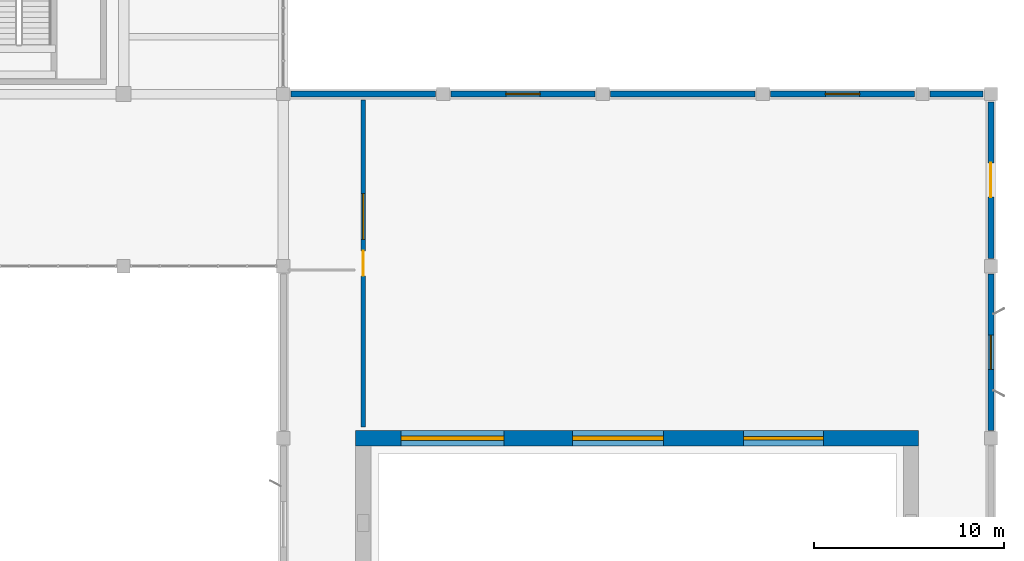
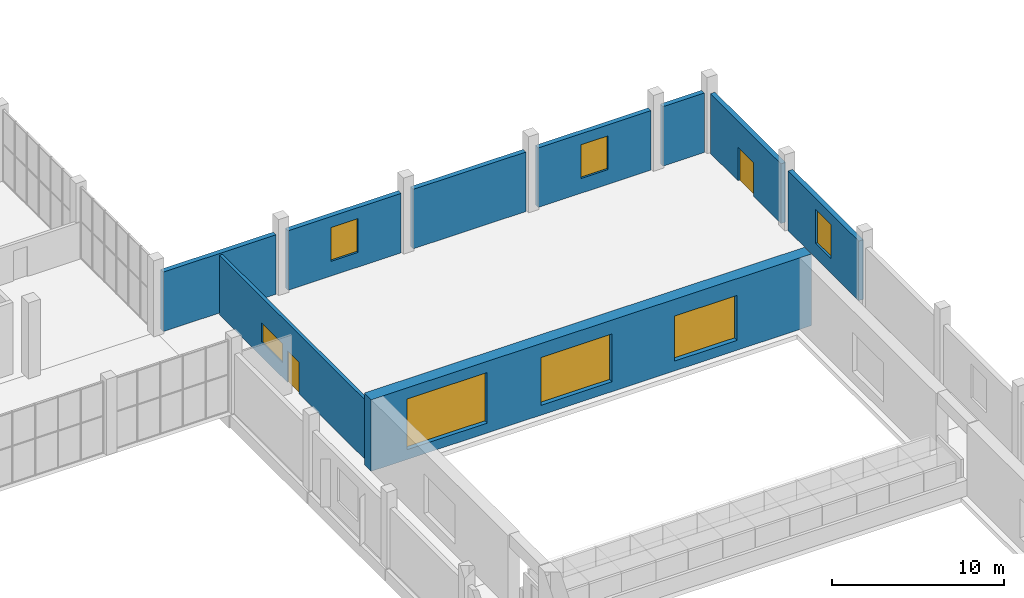
# One storey, part 84 of 91: 9 walls, 7 windows, 2 doors, 9 openings.
"""IFC4 building model written with IfcOpenShell, lengths in metres."""

from ifc_helpers import new_model, si_unit, direction, frame, frame_2d, origin, place, context, subcontext, project, spatial, rectangle, extrude, material, layer, layer_set, type_object, element, fill, save


model = new_model("IFC4")

# Units and contexts
model_context = context("Model", 3, precision=1e-05, world=origin(), true_north=direction((0.0, 1.0)))
body_context = subcontext(model_context, "Body", "Model", "MODEL_VIEW")
ifc_project = project(units=[si_unit("LENGTHUNIT", "METRE"), si_unit("AREAUNIT", "SQUARE_METRE"), si_unit("VOLUMEUNIT", "CUBIC_METRE"), si_unit("PLANEANGLEUNIT", "RADIAN"), si_unit("MASSUNIT", "GRAM", prefix="KILO")], contexts=[model_context])

# Site, building, storey
site_placement = place(None, origin())
site = spatial("IfcSite", under=ifc_project, at=site_placement, CompositionType="ELEMENT")
building_placement = place(site_placement, origin())
building = spatial("IfcBuilding", under=site, at=building_placement, Name="Khurvash Pelagic Aquarium", CompositionType="ELEMENT")
storey_placement = place(building_placement, origin())
storey = spatial("IfcBuildingStorey", under=building, at=storey_placement, Name="L00", CompositionType="ELEMENT", Elevation=0.0)

# Wall, opening, window
ifc_material_1 = material(Name="Precast concrete C40/50", Category="concrete")
ifc_layer_1 = layer(ifc_material_1, 0.320068359375)
ifc_layer_set_1 = layer_set([ifc_layer_1], Name="Precast concrete C40/50")
wall_type_1 = type_object("IfcWallType", Name="EW-320", PredefinedType="STANDARD", material=ifc_layer_set_1)
wall_1_placement = place(storey_placement, frame((163.199951171875, 66.360107421875, 0.0), z_axis=(0.0, 0.0, 1.0), x_axis=(0.0, 1.0, 0.0)))
wall_1 = element("IfcWall", 1, at=wall_1_placement, inside=storey, type_object=wall_type_1, Name="L00 Ocean Tank Hall East Containment Wall EW-320 B6", PredefinedType="STANDARD", context=body_context, shape_type="SweptSolid", body=[
    extrude(rectangle(XDim=8.22998046875, YDim=0.320068359375, at=frame_2d((4.114990234375, 0.0))), origin(), (0.0, 0.0, 1.0), 4.239990234375),
])
opening_1_placement = place(wall_1_placement, frame((3.215087890625, 0.0, 1.050048828125)))
opening_1 = element("IfcOpeningElement", 2, at=opening_1_placement, cuts=wall_1, Name="Opening WN-01", PredefinedType="OPENING", context=body_context, shape_type="SweptSolid", body=[
    extrude(rectangle(XDim=1.800048828125, YDim=2.39990234375, at=frame_2d((0.89990234375, 1.199951171875))), frame((0.0, 0.169921875, 0.0), z_axis=(0.0, -1.0, 0.0), x_axis=(1.0, 0.0, 0.0)), (0.0, 0.0, 1.0), 0.340087890625),
])
ifc_material_2 = material(Name="Thermally broken aluminium and low-E glass", Category="aluminium")
window_type_1 = type_object("IfcWindowType", Name="WN-01", PartitioningType="SINGLE_PANEL", PredefinedType="WINDOW", material=ifc_material_2)
window_1_placement = place(opening_1_placement, origin())
window_1 = element("IfcWindow", 3, at=window_1_placement, inside=storey, type_object=window_type_1, Name="L00 Ocean Hall Deep-Set Oceanic Portal Window WN-01", OverallHeight=2.39990234375, OverallWidth=1.800048828125, PartitioningType="SINGLE_PANEL", PredefinedType="WINDOW", context=body_context, shape_type="SweptSolid", body=[
    extrude(rectangle(XDim=1.800048828125, YDim=2.39990234375, at=frame_2d((0.89990234375, 1.199951171875))), frame((0.0, 0.030029296875, 0.0), z_axis=(0.0, -1.0, 0.0), x_axis=(1.0, 0.0, 0.0)), (0.0, 0.0, 1.0), 0.06005859375),
])
fill(opening_1, window_1)

# Wall, opening, door
wall_2_placement = place(storey_placement, frame((163.199951171875, 75.409912109375, 0.0), z_axis=(0.0, 0.0, 1.0), x_axis=(0.0, 1.0, 0.0)))
wall_2 = element("IfcWall", 4, at=wall_2_placement, inside=storey, type_object=wall_type_1, Name="L00 Ocean Tank Hall East Containment Wall EW-320 B7", PredefinedType="STANDARD", context=body_context, shape_type="SweptSolid", body=[
    extrude(rectangle(XDim=8.22998046875, YDim=0.320068359375, at=frame_2d((4.114990234375, 0.0))), origin(), (0.0, 0.0, 1.0), 4.239990234375),
])
opening_2_placement = place(wall_2_placement, frame((3.215087890625, 0.0, 0.0)))
opening_2 = element("IfcOpeningElement", 5, at=opening_2_placement, cuts=wall_2, Name="Opening ED-01", PredefinedType="OPENING", context=body_context, shape_type="SweptSolid", body=[
    extrude(rectangle(XDim=1.800048828125, YDim=2.39990234375, at=frame_2d((0.89990234375, 1.199951171875))), frame((0.0, 0.169921875, 0.0), z_axis=(0.0, -1.0, 0.0), x_axis=(1.0, 0.0, 0.0)), (0.0, 0.0, 1.0), 0.340087890625),
])
ifc_material_3 = material(Name="Thermally broken glazed aluminium", Category="aluminium")
door_type_1 = type_object("IfcDoorType", Name="ED-01", OperationType="DOUBLE_DOOR_SINGLE_SWING", PredefinedType="DOOR", material=ifc_material_3)
door_1_placement = place(opening_2_placement, frame((1.800048828125, 0.0, 0.0), z_axis=(0.0, 0.0, 1.0), x_axis=(-1.0, 0.0, 0.0)))
door_1 = element("IfcDoor", 6, at=door_1_placement, inside=storey, type_object=door_type_1, Name="DR-0061", OperationType="DOUBLE_DOOR_SINGLE_SWING", OverallHeight=2.39990234375, OverallWidth=1.800048828125, PredefinedType="DOOR", context=body_context, shape_type="SweptSolid", body=[
    extrude(rectangle(XDim=1.800048828125, YDim=2.39990234375, at=frame_2d((0.89990234375, 1.199951171875))), frame((0.0, 0.02490234375, 0.0), z_axis=(0.0, -1.0, 0.0), x_axis=(1.0, 0.0, 0.0)), (0.0, 0.0, 1.0), 0.050048828125),
])
fill(opening_2, door_1)

# Wall
wall_3_placement = place(storey_placement, frame((133.989990234375, 84.050048828125, 0.0), z_axis=(0.0, 0.0, 1.0), x_axis=(-1.0, 0.0, 0.0)))
element("IfcWall", 7, at=wall_3_placement, inside=storey, type_object=wall_type_1, Name="L00 Ocean Tank Hall North Containment Wall EW-320 B1.1", PredefinedType="STANDARD", context=body_context, shape_type="SweptSolid", body=[
    extrude(rectangle(XDim=7.580078125, YDim=0.320068359375, at=frame_2d((3.7900390625, 0.0))), origin(), (0.0, 0.0, 1.0), 4.22998046875),
])

# Wall, opening, window
wall_4_placement = place(storey_placement, frame((142.389892578125, 84.050048828125, 0.0), z_axis=(0.0, 0.0, 1.0), x_axis=(-1.0, 0.0, 0.0)))
wall_4 = element("IfcWall", 8, at=wall_4_placement, inside=storey, type_object=wall_type_1, Name="L00 Ocean Tank Hall North Containment Wall EW-320 B2.1", PredefinedType="STANDARD", context=body_context, shape_type="SweptSolid", body=[
    extrude(rectangle(XDim=7.579833984375, YDim=0.320068359375, at=frame_2d((3.7900390625, 0.0))), origin(), (0.0, 0.0, 1.0), 4.22998046875),
])
opening_3_placement = place(wall_4_placement, frame((2.889892578125, 0.0, 1.050048828125)))
opening_3 = element("IfcOpeningElement", 9, at=opening_3_placement, cuts=wall_4, Name="Opening WN-01", PredefinedType="OPENING", context=body_context, shape_type="SweptSolid", body=[
    extrude(rectangle(XDim=1.800048828125, YDim=2.39990234375, at=frame_2d((0.89990234375, 1.199951171875))), frame((0.0, 0.169921875, 0.0), z_axis=(0.0, -1.0, 0.0), x_axis=(1.0, 0.0, 0.0)), (0.0, 0.0, 1.0), 0.340087890625),
])
window_2_placement = place(opening_3_placement, origin())
window_2 = element("IfcWindow", 10, at=window_2_placement, inside=storey, type_object=window_type_1, Name="L00 Ocean Hall North Viewing Portal Window WN-01", OverallHeight=2.39990234375, OverallWidth=1.800048828125, PartitioningType="SINGLE_PANEL", PredefinedType="WINDOW", context=body_context, shape_type="SweptSolid", body=[
    extrude(rectangle(XDim=1.800048828125, YDim=2.39990234375, at=frame_2d((0.89990234375, 1.199951171875))), frame((0.0, 0.030029296875, 0.0), z_axis=(0.0, -1.0, 0.0), x_axis=(1.0, 0.0, 0.0)), (0.0, 0.0, 1.0), 0.06005859375),
])
fill(opening_3, window_2)

# Wall
wall_5_placement = place(storey_placement, frame((150.7900390625, 84.050048828125, 0.0), z_axis=(0.0, 0.0, 1.0), x_axis=(-1.0, 0.0, 0.0)))
element("IfcWall", 11, at=wall_5_placement, inside=storey, type_object=wall_type_1, Name="L00 Ocean Tank Hall North Containment Wall EW-320 B3.1", PredefinedType="STANDARD", context=body_context, shape_type="SweptSolid", body=[
    extrude(rectangle(XDim=7.580078125, YDim=0.320068359375, at=frame_2d((3.7900390625, 0.0))), origin(), (0.0, 0.0, 1.0), 4.22998046875),
])

# Wall, opening, window
wall_6_placement = place(storey_placement, frame((159.18994140625, 84.050048828125, 0.0), z_axis=(0.0, 0.0, 1.0), x_axis=(-1.0, 0.0, 0.0)))
wall_6 = element("IfcWall", 12, at=wall_6_placement, inside=storey, type_object=wall_type_1, Name="L00 Ocean Tank Hall North Containment Wall EW-320 B4.1", PredefinedType="STANDARD", context=body_context, shape_type="SweptSolid", body=[
    extrude(rectangle(XDim=7.579833984375, YDim=0.320068359375, at=frame_2d((3.7900390625, 0.0))), origin(), (0.0, 0.0, 1.0), 4.22998046875),
])
opening_4_placement = place(wall_6_placement, frame((2.889892578125, 0.0, 1.050048828125)))
opening_4 = element("IfcOpeningElement", 13, at=opening_4_placement, cuts=wall_6, Name="Opening WN-01", PredefinedType="OPENING", context=body_context, shape_type="SweptSolid", body=[
    extrude(rectangle(XDim=1.800048828125, YDim=2.39990234375, at=frame_2d((0.89990234375, 1.199951171875))), frame((0.0, 0.169921875, 0.0), z_axis=(0.0, -1.0, 0.0), x_axis=(1.0, 0.0, 0.0)), (0.0, 0.0, 1.0), 0.340087890625),
])
window_3_placement = place(opening_4_placement, origin())
window_3 = element("IfcWindow", 14, at=window_3_placement, inside=storey, type_object=window_type_1, Name="L00 Ocean Hall North Viewing Portal Window WN-01", OverallHeight=2.39990234375, OverallWidth=1.800048828125, PartitioningType="SINGLE_PANEL", PredefinedType="WINDOW", context=body_context, shape_type="SweptSolid", body=[
    extrude(rectangle(XDim=1.800048828125, YDim=2.39990234375, at=frame_2d((0.89990234375, 1.199951171875))), frame((0.0, 0.030029296875, 0.0), z_axis=(0.0, -1.0, 0.0), x_axis=(1.0, 0.0, 0.0)), (0.0, 0.0, 1.0), 0.06005859375),
])
fill(opening_4, window_3)

# Wall
wall_7_placement = place(storey_placement, frame((162.7900390625, 84.050048828125, 0.0), z_axis=(0.0, 0.0, 1.0), x_axis=(-1.0, 0.0, 0.0)))
element("IfcWall", 15, at=wall_7_placement, inside=storey, type_object=wall_type_1, Name="L00 Ocean Tank Hall North Containment Wall EW-320 B5.1", PredefinedType="STANDARD", context=body_context, shape_type="SweptSolid", body=[
    extrude(rectangle(XDim=2.780029296875, YDim=0.320068359375, at=frame_2d((1.39013671875, 0.0))), origin(), (0.0, 0.0, 1.0), 4.22998046875),
])

# Wall, openings, door, window
ifc_material_4 = material(Name="AAC blockwork", Category="masonry")
ifc_layer_2 = layer(ifc_material_4, 0.215087890625)
ifc_layer_set_2 = layer_set([ifc_layer_2], Name="AAC blockwork")
wall_type_2 = type_object("IfcWallType", Name="PW-215", PredefinedType="PARTITIONING", material=ifc_layer_set_2)
wall_8_placement = place(storey_placement, frame((130.199951171875, 66.55810546875, 0.0), z_axis=(0.0, 0.0, 1.0), x_axis=(0.0, 1.0, 0.0)))
wall_8 = element("IfcWall", 16, at=wall_8_placement, inside=storey, type_object=wall_type_2, Name="L00 Ocean Tank North Reef Viewing Hall Partition Wall PW-215", PredefinedType="PARTITIONING", context=body_context, shape_type="SweptSolid", body=[
    extrude(rectangle(XDim=17.183837890625, YDim=0.215087890625, at=frame_2d((8.591796875, 0.0))), origin(), (0.0, 0.0, 1.0), 4.22998046875),
])
opening_5_placement = place(wall_8_placement, frame((7.931884765625, 0.0, 0.0)))
opening_5 = element("IfcOpeningElement", 17, at=opening_5_placement, cuts=wall_8, Name="Opening ID-07", PredefinedType="OPENING", context=body_context, shape_type="SweptSolid", body=[
    extrude(rectangle(XDim=1.320068359375, YDim=2.25, at=frame_2d((0.66015625, 1.125))), frame((0.0, 0.11767578125, 0.0), z_axis=(0.0, -1.0, 0.0), x_axis=(1.0, 0.0, 0.0)), (0.0, 0.0, 1.0), 0.235107421875),
])
opening_6_placement = place(wall_8_placement, frame((9.85205078125, 0.0, 1.050048828125)))
opening_6 = element("IfcOpeningElement", 18, at=opening_6_placement, cuts=wall_8, Name="Opening IW-04", PredefinedType="OPENING", context=body_context, shape_type="SweptSolid", body=[
    extrude(rectangle(XDim=2.39990234375, YDim=1.35009765625, at=frame_2d((1.199951171875, 0.675048828125))), frame((0.0, 0.11767578125, 0.0), z_axis=(0.0, -1.0, 0.0), x_axis=(1.0, 0.0, 0.0)), (0.0, 0.0, 1.0), 0.235107421875),
])
ifc_material_5 = material(Name="FRP wet-laboratory equipment door", Category="wood")
door_type_2 = type_object("IfcDoorType", Name="ID-07", OperationType="NOTDEFINED", PredefinedType="DOOR", material=ifc_material_5)
door_2_placement = place(opening_5_placement, frame((1.320068359375, 0.0, 0.0), z_axis=(0.0, 0.0, 1.0), x_axis=(-1.0, 0.0, 0.0)))
door_2 = element("IfcDoor", 19, at=door_2_placement, inside=storey, type_object=door_type_2, Name="DR-0074", OperationType="SINGLE_SWING_LEFT", OverallHeight=2.25, OverallWidth=1.320068359375, PredefinedType="DOOR", context=body_context, shape_type="SweptSolid", body=[
    extrude(rectangle(XDim=1.320068359375, YDim=2.25, at=frame_2d((0.66015625, 1.125))), frame((0.0, 0.02490234375, 0.0), z_axis=(0.0, -1.0, 0.0), x_axis=(1.0, 0.0, 0.0)), (0.0, 0.0, 1.0), 0.050048828125),
])
fill(opening_5, door_2)
ifc_material_6 = material(Name="Acoustic laminated interior observation glazing", Category="glass")
window_type_2 = type_object("IfcWindowType", Name="IW-04", PartitioningType="SINGLE_PANEL", PredefinedType="WINDOW", material=ifc_material_6)
window_4_placement = place(opening_6_placement, origin())
window_4 = element("IfcWindow", 20, at=window_4_placement, inside=storey, type_object=window_type_2, Name="L00 Ocean Tank North Reef Viewing Hall Observation Window IW-04", OverallHeight=1.35009765625, OverallWidth=2.39990234375, PartitioningType="SINGLE_PANEL", PredefinedType="WINDOW", context=body_context, shape_type="SweptSolid", body=[
    extrude(rectangle(XDim=2.39990234375, YDim=1.35009765625, at=frame_2d((1.199951171875, 0.675048828125))), frame((0.0, 0.030029296875, 0.0), z_axis=(0.0, -1.0, 0.0), x_axis=(1.0, 0.0, 0.0)), (0.0, 0.0, 1.0), 0.06005859375),
])
fill(opening_6, window_4)

# Wall, openings, windows
ifc_material_7 = material(Name="Water-retaining concrete C40/50", Category="concrete")
ifc_layer_3 = layer(ifc_material_7, 0.800048828125)
ifc_layer_set_3 = layer_set([ifc_layer_3], Name="Water-retaining concrete C40/50")
wall_type_3 = type_object("IfcWallType", Name="TW-800", PredefinedType="SOLIDWALL", material=ifc_layer_set_3)
wall_9_placement = place(storey_placement, frame((129.800048828125, 65.949951171875, 0.0), z_axis=(0.0, 0.0, 1.0), x_axis=(1.0, 0.0, 0.0)))
wall_9 = element("IfcWall", 21, at=wall_9_placement, inside=storey, type_object=wall_type_3, Name="L00 Ocean Tank North Containment Wall TW-800", PredefinedType="SOLIDWALL", context=body_context, shape_type="SweptSolid", body=[
    extrude(rectangle(XDim=29.599853515625, YDim=0.800048828125, at=frame_2d((14.7998046875, 0.0))), origin(), (0.0, 0.0, 1.0), 5.090087890625),
])
opening_7_placement = place(wall_9_placement, frame((2.39990234375, 0.0, 0.699951171875)))
opening_7 = element("IfcOpeningElement", 22, at=opening_7_placement, cuts=wall_9, Name="Opening VW-01", PredefinedType="OPENING", context=body_context, shape_type="SweptSolid", body=[
    extrude(rectangle(XDim=5.39990234375, YDim=3.60009765625, at=frame_2d((2.699951171875, 1.800048828125))), frame((0.0, 0.41015625, 0.0), z_axis=(0.0, -1.0, 0.0), x_axis=(1.0, 0.0, 0.0)), (0.0, 0.0, 1.0), 0.820068359375),
])
opening_8_placement = place(wall_9_placement, frame((11.39990234375, 0.0, 0.699951171875)))
opening_8 = element("IfcOpeningElement", 23, at=opening_8_placement, cuts=wall_9, Name="Opening VW-02", PredefinedType="OPENING", context=body_context, shape_type="SweptSolid", body=[
    extrude(rectangle(XDim=4.800048828125, YDim=3.39990234375, at=frame_2d((2.39990234375, 1.699951171875))), frame((0.0, 0.41015625, 0.0), z_axis=(0.0, -1.0, 0.0), x_axis=(1.0, 0.0, 0.0)), (0.0, 0.0, 1.0), 0.820068359375),
])
opening_9_placement = place(wall_9_placement, frame((20.39990234375, 0.0, 0.699951171875)))
opening_9 = element("IfcOpeningElement", 24, at=opening_9_placement, cuts=wall_9, Name="Opening VW-03", PredefinedType="OPENING", context=body_context, shape_type="SweptSolid", body=[
    extrude(rectangle(XDim=4.199951171875, YDim=3.199951171875, at=frame_2d((2.10009765625, 1.60009765625))), frame((0.0, 0.41015625, 0.0), z_axis=(0.0, -1.0, 0.0), x_axis=(1.0, 0.0, 0.0)), (0.0, 0.0, 1.0), 0.820068359375),
])
ifc_material_8 = material(Name="Monolithic cast polymethyl methacrylate PMMA", Category="glass")
window_type_3 = type_object("IfcWindowType", Name="VW-01", PartitioningType="SINGLE_PANEL", PredefinedType="WINDOW", material=ifc_material_8)
window_5_placement = place(opening_7_placement, origin())
window_5 = element("IfcWindow", 25, at=window_5_placement, inside=storey, type_object=window_type_3, Name="L00 Ocean Tank Cast-PMMA Viewing Portal VW-01", OverallHeight=3.60009765625, OverallWidth=5.39990234375, PartitioningType="SINGLE_PANEL", PredefinedType="WINDOW", context=body_context, shape_type="SweptSolid", body=[
    extrude(rectangle(XDim=5.39990234375, YDim=3.60009765625, at=frame_2d((2.699951171875, 1.800048828125))), frame((0.0, 0.1201171875, 0.0), z_axis=(0.0, -1.0, 0.0), x_axis=(1.0, 0.0, 0.0)), (0.0, 0.0, 1.0), 0.239990234375),
])
fill(opening_7, window_5)
window_type_4 = type_object("IfcWindowType", Name="VW-02", PartitioningType="SINGLE_PANEL", PredefinedType="WINDOW", material=ifc_material_8)
window_6_placement = place(opening_8_placement, origin())
window_6 = element("IfcWindow", 26, at=window_6_placement, inside=storey, type_object=window_type_4, Name="L00 Ocean Tank Cast-PMMA Viewing Portal VW-02", OverallHeight=3.39990234375, OverallWidth=4.800048828125, PartitioningType="SINGLE_PANEL", PredefinedType="WINDOW", context=body_context, shape_type="SweptSolid", body=[
    extrude(rectangle(XDim=4.800048828125, YDim=3.39990234375, at=frame_2d((2.39990234375, 1.699951171875))), frame((0.0, 0.10986328125, 0.0), z_axis=(0.0, -1.0, 0.0), x_axis=(1.0, 0.0, 0.0)), (0.0, 0.0, 1.0), 0.219970703125),
])
fill(opening_8, window_6)
window_type_5 = type_object("IfcWindowType", Name="VW-03", PartitioningType="SINGLE_PANEL", PredefinedType="WINDOW", material=ifc_material_8)
window_7_placement = place(opening_9_placement, origin())
window_7 = element("IfcWindow", 27, at=window_7_placement, inside=storey, type_object=window_type_5, Name="L00 Ocean Tank Cast-PMMA Viewing Portal VW-03", OverallHeight=3.199951171875, OverallWidth=4.199951171875, PartitioningType="SINGLE_PANEL", PredefinedType="WINDOW", context=body_context, shape_type="SweptSolid", body=[
    extrude(rectangle(XDim=4.199951171875, YDim=3.199951171875, at=frame_2d((2.10009765625, 1.60009765625))), frame((0.0, 0.10009765625, 0.0), z_axis=(0.0, -1.0, 0.0), x_axis=(1.0, 0.0, 0.0)), (0.0, 0.0, 1.0), 0.199951171875),
])
fill(opening_9, window_7)

save(model, "model.ifc")
